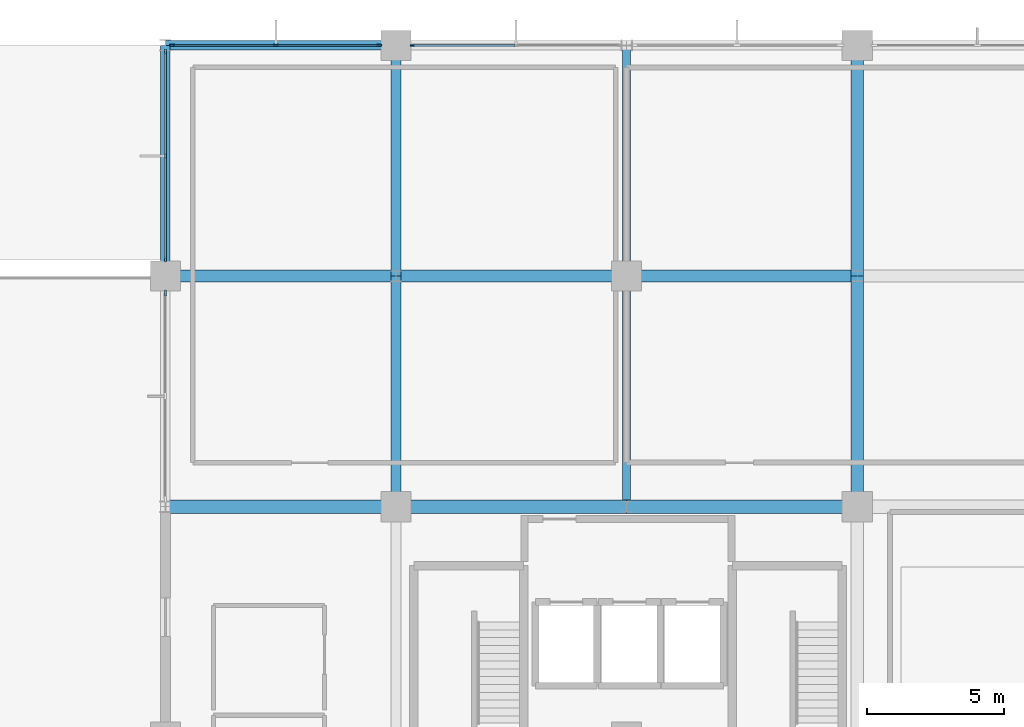
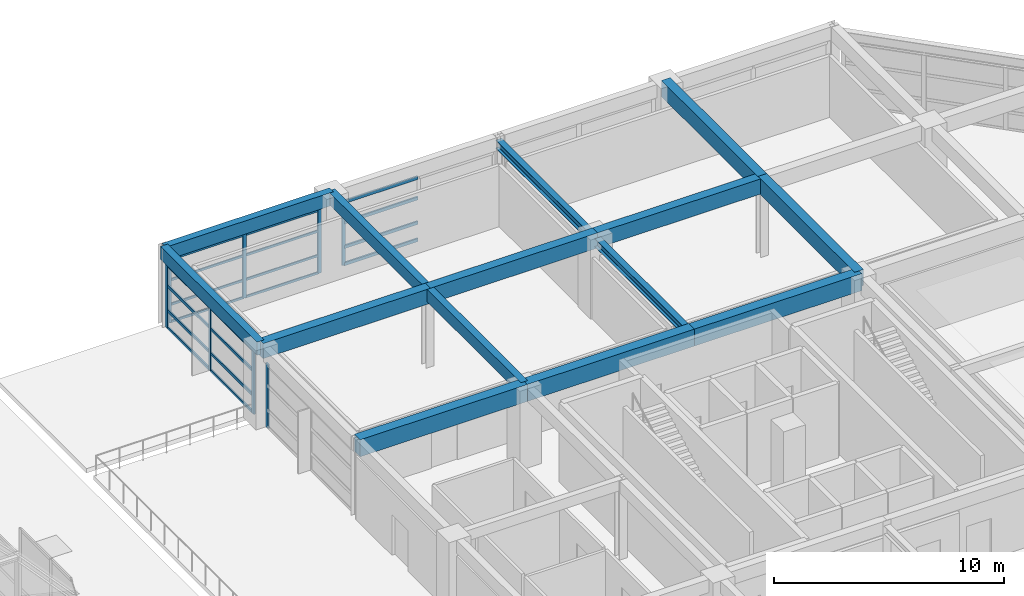
# One storey, part 24 of 34: 28 members, 14 beams, 4 elements without a shape of their own.
"""IFC4 building model written with IfcOpenShell, lengths in metres."""

from ifc_helpers import new_model, si_unit, direction, frame, origin, origin_2d, place, context, subcontext, project, spatial, rectangle, i_section, extrude, material, material_profile, profile_set, type_object, element, aggregate, save


model = new_model("IFC4")

# Units and contexts
model_context = context("Model", 3, precision=1e-05, world=origin(), true_north=direction((0.0, 1.0)))
body_context = subcontext(model_context, "Body", "Model", "MODEL_VIEW")
ifc_project = project(units=[si_unit("LENGTHUNIT", "METRE"), si_unit("AREAUNIT", "SQUARE_METRE"), si_unit("VOLUMEUNIT", "CUBIC_METRE"), si_unit("PLANEANGLEUNIT", "RADIAN"), si_unit("MASSUNIT", "GRAM", prefix="KILO")], contexts=[model_context])

# Site, building, storey
site_placement = place(None, origin())
site = spatial("IfcSite", under=ifc_project, at=site_placement, CompositionType="ELEMENT")
building_placement = place(site_placement, origin())
building = spatial("IfcBuilding", under=site, at=building_placement, Name="Xuanlan Plaza Opera House", CompositionType="ELEMENT")
storey_placement = place(building_placement, frame((0.0, 0.0, 27.89990234375)))
storey = spatial("IfcBuildingStorey", under=building, at=storey_placement, Name="L06", CompositionType="ELEMENT", Elevation=27.89990234375)

# Curtain wall, member
ifc_material_1 = material(Name="Anodised Aluminium 6063-T6 and Low-E Glass", Category="aluminium")
curtain_wall_type_1 = type_object("IfcCurtainWallType", Name="ENV-CW-CW-01", PredefinedType="USERDEFINED", material=ifc_material_1)
curtain_wall_1_placement = place(storey_placement, origin())
curtain_wall_1 = element("IfcCurtainWall", 1, at=curtain_wall_1_placement, inside=storey, type_object=curtain_wall_type_1, Name="Unitised Curtain Wall L06-013", ObjectType="UNITISED CURTAIN WALL", PredefinedType="USERDEFINED")
ifc_material_2 = material(Name="Anodised Aluminium 6063-T6", Category="aluminium")
ifc_material_profile_1 = material_profile(ifc_material_2, rectangle(XDim=0.06494140625, YDim=0.159912109375, at=origin_2d()), Name="ALU-M 65x160")
ifc_profile_set_1 = profile_set([ifc_material_profile_1], Name="Anodised Aluminium 6063-T6")
member_type_1 = type_object("IfcMemberType", Name="ENV-CWM-01", PredefinedType="MULLION", material=ifc_profile_set_1)
member_1_placement = place(storey_placement, frame((135.00244140625, 84.0, 0.0), z_axis=(0.0, 0.0, 1.0), x_axis=(0.0, -1.0, 0.0)))
member_1 = element("IfcMember", 2, at=member_1_placement, type_object=member_type_1, Name="CW-01 mullion 3", PredefinedType="MULLION", context=body_context, shape_type="SweptSolid", body=[
    extrude(rectangle(XDim=0.06494140625, YDim=0.159912109375, at=origin_2d()), origin(), (0.0, 0.0, 1.0), 3.380126953125),
])

# Curtain wall, members
curtain_wall_type_2 = type_object("IfcCurtainWallType", Name="ENV-CW-CW-02", PredefinedType="USERDEFINED", material=ifc_material_1)
curtain_wall_2_placement = place(storey_placement, origin())
curtain_wall_2 = element("IfcCurtainWall", 3, at=curtain_wall_2_placement, inside=storey, type_object=curtain_wall_type_2, Name="Unitised Curtain Wall L06-014", ObjectType="UNITISED CURTAIN WALL", PredefinedType="USERDEFINED")
ifc_material_profile_2 = material_profile(ifc_material_2, rectangle(XDim=0.070068359375, YDim=0.179931640625, at=origin_2d()), Name="ALU-M 70x180")
ifc_profile_set_2 = profile_set([ifc_material_profile_2], Name="Anodised Aluminium 6063-T6")
member_type_2 = type_object("IfcMemberType", Name="ENV-CWM-02", PredefinedType="MULLION", material=ifc_profile_set_2)
member_2_placement = place(storey_placement, frame((133.794921875, 84.0, 0.0), z_axis=(0.0, 0.0, 1.0), x_axis=(0.0, -1.0, 0.0)))
member_2 = element("IfcMember", 4, at=member_2_placement, type_object=member_type_2, Name="CW-02 mullion 1", PredefinedType="MULLION", context=body_context, shape_type="SweptSolid", body=[
    extrude(rectangle(XDim=0.070068359375, YDim=0.179931640625, at=origin_2d()), origin(), (0.0, 0.0, 1.0), 3.380126953125),
])
member_3_placement = place(storey_placement, frame((130.02490234375, 84.0, 0.0), z_axis=(0.0, 0.0, 1.0), x_axis=(0.0, -1.0, 0.0)))
member_3 = element("IfcMember", 5, at=member_3_placement, type_object=member_type_2, Name="CW-02 mullion 2", PredefinedType="MULLION", context=body_context, shape_type="SweptSolid", body=[
    extrude(rectangle(XDim=0.070068359375, YDim=0.179931640625, at=origin_2d()), origin(), (0.0, 0.0, 1.0), 3.380126953125),
])
member_4_placement = place(storey_placement, frame((126.2548828125, 84.0, 0.0), z_axis=(0.0, 0.0, 1.0), x_axis=(0.0, -1.0, 0.0)))
member_4 = element("IfcMember", 6, at=member_4_placement, type_object=member_type_2, Name="CW-02 mullion 3", PredefinedType="MULLION", context=body_context, shape_type="SweptSolid", body=[
    extrude(rectangle(XDim=0.070068359375, YDim=0.179931640625, at=origin_2d()), origin(), (0.0, 0.0, 1.0), 3.380126953125),
])

curtain_wall_type_3 = type_object("IfcCurtainWallType", Name="ENV-CW-CW-03", PredefinedType="USERDEFINED", material=ifc_material_1)
curtain_wall_3_placement = place(storey_placement, origin())
curtain_wall_3 = element("IfcCurtainWall", 7, at=curtain_wall_3_placement, inside=storey, type_object=curtain_wall_type_3, Name="Unitised Curtain Wall L06-015", ObjectType="UNITISED CURTAIN WALL", PredefinedType="USERDEFINED")
ifc_material_profile_3 = material_profile(ifc_material_2, rectangle(XDim=0.074951171875, YDim=0.199951171875, at=origin_2d()), Name="ALU-M 75x200")
ifc_profile_set_3 = profile_set([ifc_material_profile_3], Name="Anodised Aluminium 6063-T6")
member_type_3 = type_object("IfcMemberType", Name="ENV-CWM-03", PredefinedType="MULLION", material=ifc_profile_set_3)
member_5_placement = place(storey_placement, frame((126.0, 83.742431640625, 0.0), z_axis=(0.0, 0.0, 1.0), x_axis=(1.0, 0.0, 0.0)))
member_5 = element("IfcMember", 8, at=member_5_placement, type_object=member_type_3, Name="CW-03 mullion 1", PredefinedType="MULLION", context=body_context, shape_type="SweptSolid", body=[
    extrude(rectangle(XDim=0.074951171875, YDim=0.199951171875, at=origin_2d()), origin(), (0.0, 0.0, 1.0), 3.380126953125),
])
member_6_placement = place(storey_placement, frame((126.0, 79.97509765625, 0.0), z_axis=(0.0, 0.0, 1.0), x_axis=(1.0, 0.0, 0.0)))
member_6 = element("IfcMember", 9, at=member_6_placement, type_object=member_type_3, Name="CW-03 mullion 2", PredefinedType="MULLION", context=body_context, shape_type="SweptSolid", body=[
    extrude(rectangle(XDim=0.074951171875, YDim=0.199951171875, at=origin_2d()), origin(), (0.0, 0.0, 1.0), 3.380126953125),
])
member_7_placement = place(storey_placement, frame((126.0, 76.20751953125, 0.0), z_axis=(0.0, 0.0, 1.0), x_axis=(1.0, 0.0, 0.0)))
member_7 = element("IfcMember", 10, at=member_7_placement, type_object=member_type_3, Name="CW-03 mullion 3", PredefinedType="MULLION", context=body_context, shape_type="SweptSolid", body=[
    extrude(rectangle(XDim=0.074951171875, YDim=0.199951171875, at=origin_2d()), origin(), (0.0, 0.0, 1.0), 3.380126953125),
])

# Curtain wall, member
curtain_wall_type_4 = type_object("IfcCurtainWallType", Name="ENV-CW-CW-04", PredefinedType="USERDEFINED", material=ifc_material_1)
curtain_wall_4_placement = place(storey_placement, origin())
curtain_wall_4 = element("IfcCurtainWall", 11, at=curtain_wall_4_placement, inside=storey, type_object=curtain_wall_type_4, Name="Unitised Curtain Wall L06-016", ObjectType="UNITISED CURTAIN WALL", PredefinedType="USERDEFINED")
ifc_material_profile_4 = material_profile(ifc_material_2, rectangle(XDim=0.080078125, YDim=0.219970703125, at=origin_2d()), Name="ALU-M 80x220")
ifc_profile_set_4 = profile_set([ifc_material_profile_4], Name="Anodised Aluminium 6063-T6")
member_type_4 = type_object("IfcMemberType", Name="ENV-CWM-04", PredefinedType="MULLION", material=ifc_profile_set_4)
member_8_placement = place(storey_placement, frame((126.0, 74.989990234375, 0.0), z_axis=(0.0, 0.0, 1.0), x_axis=(1.0, 0.0, 0.0)))
member_8 = element("IfcMember", 12, at=member_8_placement, type_object=member_type_4, Name="CW-04 mullion 1", PredefinedType="MULLION", context=body_context, shape_type="SweptSolid", body=[
    extrude(rectangle(XDim=0.080078125, YDim=0.219970703125, at=origin_2d()), origin(), (0.0, 0.0, 1.0), 3.380126953125),
])
aggregate(curtain_wall_4, [member_8])

# Member
ifc_material_profile_5 = material_profile(ifc_material_2, rectangle(XDim=0.06494140625, YDim=0.1201171875, at=origin_2d()), Name="ALU-T 65x120")
ifc_profile_set_5 = profile_set([ifc_material_profile_5], Name="Anodised Aluminium 6063-T6")
member_type_5 = type_object("IfcMemberType", Name="ENV-CWT-01", PredefinedType="USERDEFINED", material=ifc_profile_set_5)
member_9_placement = place(storey_placement, frame((133.760009765625, 84.0, 0.03271484375), z_axis=(-1.0, 0.0, 0.0), x_axis=(0.0, -1.0, 0.0)))
member_9 = element("IfcMember", 13, at=member_9_placement, type_object=member_type_5, Name="CW-02 transom 1.1", ObjectType="TRANSOM", PredefinedType="USERDEFINED", context=body_context, shape_type="SweptSolid", body=[
    extrude(rectangle(XDim=0.06494140625, YDim=0.1201171875, at=origin_2d()), origin(), (0.0, 0.0, 1.0), 3.699951171875),
])

member_10_placement = place(storey_placement, frame((133.760009765625, 84.0, 0.9501953125), z_axis=(-1.0, 0.0, 0.0), x_axis=(0.0, -1.0, 0.0)))
member_10 = element("IfcMember", 14, at=member_10_placement, type_object=member_type_5, Name="CW-02 transom 1.2", ObjectType="TRANSOM", PredefinedType="USERDEFINED", context=body_context, shape_type="SweptSolid", body=[
    extrude(rectangle(XDim=0.06494140625, YDim=0.1201171875, at=origin_2d()), origin(), (0.0, 0.0, 1.0), 3.699951171875),
])

member_11_placement = place(storey_placement, frame((133.760009765625, 84.0, 2.25), z_axis=(-1.0, 0.0, 0.0), x_axis=(0.0, -1.0, 0.0)))
member_11 = element("IfcMember", 15, at=member_11_placement, type_object=member_type_5, Name="CW-02 transom 1.3", ObjectType="TRANSOM", PredefinedType="USERDEFINED", context=body_context, shape_type="SweptSolid", body=[
    extrude(rectangle(XDim=0.06494140625, YDim=0.1201171875, at=origin_2d()), origin(), (0.0, 0.0, 1.0), 3.699951171875),
])

member_12_placement = place(storey_placement, frame((133.760009765625, 84.0, 3.34765625), z_axis=(-1.0, 0.0, 0.0), x_axis=(0.0, -1.0, 0.0)))
member_12 = element("IfcMember", 16, at=member_12_placement, type_object=member_type_5, Name="CW-02 transom 1.4", ObjectType="TRANSOM", PredefinedType="USERDEFINED", context=body_context, shape_type="SweptSolid", body=[
    extrude(rectangle(XDim=0.06494140625, YDim=0.1201171875, at=origin_2d()), origin(), (0.0, 0.0, 1.0), 3.699951171875),
])

member_13_placement = place(storey_placement, frame((129.989990234375, 84.0, 0.03271484375), z_axis=(-1.0, 0.0, 0.0), x_axis=(0.0, -1.0, 0.0)))
member_13 = element("IfcMember", 17, at=member_13_placement, type_object=member_type_5, Name="CW-02 transom 2.1", ObjectType="TRANSOM", PredefinedType="USERDEFINED", context=body_context, shape_type="SweptSolid", body=[
    extrude(rectangle(XDim=0.06494140625, YDim=0.1201171875, at=origin_2d()), origin(), (0.0, 0.0, 1.0), 3.699951171875),
])

member_14_placement = place(storey_placement, frame((129.989990234375, 84.0, 0.9501953125), z_axis=(-1.0, 0.0, 0.0), x_axis=(0.0, -1.0, 0.0)))
member_14 = element("IfcMember", 18, at=member_14_placement, type_object=member_type_5, Name="CW-02 transom 2.2", ObjectType="TRANSOM", PredefinedType="USERDEFINED", context=body_context, shape_type="SweptSolid", body=[
    extrude(rectangle(XDim=0.06494140625, YDim=0.1201171875, at=origin_2d()), origin(), (0.0, 0.0, 1.0), 3.699951171875),
])

member_15_placement = place(storey_placement, frame((129.989990234375, 84.0, 2.25), z_axis=(-1.0, 0.0, 0.0), x_axis=(0.0, -1.0, 0.0)))
member_15 = element("IfcMember", 19, at=member_15_placement, type_object=member_type_5, Name="CW-02 transom 2.3", ObjectType="TRANSOM", PredefinedType="USERDEFINED", context=body_context, shape_type="SweptSolid", body=[
    extrude(rectangle(XDim=0.06494140625, YDim=0.1201171875, at=origin_2d()), origin(), (0.0, 0.0, 1.0), 3.699951171875),
])

member_16_placement = place(storey_placement, frame((129.989990234375, 84.0, 3.34765625), z_axis=(-1.0, 0.0, 0.0), x_axis=(0.0, -1.0, 0.0)))
member_16 = element("IfcMember", 20, at=member_16_placement, type_object=member_type_5, Name="CW-02 transom 2.4", ObjectType="TRANSOM", PredefinedType="USERDEFINED", context=body_context, shape_type="SweptSolid", body=[
    extrude(rectangle(XDim=0.06494140625, YDim=0.1201171875, at=origin_2d()), origin(), (0.0, 0.0, 1.0), 3.699951171875),
])

aggregate(curtain_wall_2, [member_2, member_3, member_4, member_9, member_10, member_11, member_12, member_13, member_14, member_15, member_16])

ifc_material_profile_6 = material_profile(ifc_material_2, rectangle(XDim=0.074951171875, YDim=0.14990234375, at=origin_2d()), Name="ALU-T 75x150")
ifc_profile_set_6 = profile_set([ifc_material_profile_6], Name="Anodised Aluminium 6063-T6")
member_type_6 = type_object("IfcMemberType", Name="ENV-CWT-03", PredefinedType="USERDEFINED", material=ifc_profile_set_6)
member_17_placement = place(storey_placement, frame((126.0, 83.705078125, 0.03759765625), z_axis=(0.0, -1.0, 0.0), x_axis=(1.0, 0.0, 0.0)))
member_17 = element("IfcMember", 21, at=member_17_placement, type_object=member_type_6, Name="CW-03 transom 1.1", ObjectType="TRANSOM", PredefinedType="USERDEFINED", context=body_context, shape_type="SweptSolid", body=[
    extrude(rectangle(XDim=0.074951171875, YDim=0.14990234375, at=origin_2d()), origin(), (0.0, 0.0, 1.0), 3.692626953125),
])

member_18_placement = place(storey_placement, frame((126.0, 83.705078125, 0.9501953125), z_axis=(0.0, -1.0, 0.0), x_axis=(1.0, 0.0, 0.0)))
member_18 = element("IfcMember", 22, at=member_18_placement, type_object=member_type_6, Name="CW-03 transom 1.2", ObjectType="TRANSOM", PredefinedType="USERDEFINED", context=body_context, shape_type="SweptSolid", body=[
    extrude(rectangle(XDim=0.074951171875, YDim=0.14990234375, at=origin_2d()), origin(), (0.0, 0.0, 1.0), 3.692626953125),
])

member_19_placement = place(storey_placement, frame((126.0, 83.705078125, 2.25), z_axis=(0.0, -1.0, 0.0), x_axis=(1.0, 0.0, 0.0)))
member_19 = element("IfcMember", 23, at=member_19_placement, type_object=member_type_6, Name="CW-03 transom 1.3", ObjectType="TRANSOM", PredefinedType="USERDEFINED", context=body_context, shape_type="SweptSolid", body=[
    extrude(rectangle(XDim=0.074951171875, YDim=0.14990234375, at=origin_2d()), origin(), (0.0, 0.0, 1.0), 3.692626953125),
])

member_20_placement = place(storey_placement, frame((126.0, 83.705078125, 3.342529296875), z_axis=(0.0, -1.0, 0.0), x_axis=(1.0, 0.0, 0.0)))
member_20 = element("IfcMember", 24, at=member_20_placement, type_object=member_type_6, Name="CW-03 transom 1.4", ObjectType="TRANSOM", PredefinedType="USERDEFINED", context=body_context, shape_type="SweptSolid", body=[
    extrude(rectangle(XDim=0.074951171875, YDim=0.14990234375, at=origin_2d()), origin(), (0.0, 0.0, 1.0), 3.692626953125),
])

member_21_placement = place(storey_placement, frame((126.0, 79.9375, 0.03759765625), z_axis=(0.0, -1.0, 0.0), x_axis=(1.0, 0.0, 0.0)))
member_21 = element("IfcMember", 25, at=member_21_placement, type_object=member_type_6, Name="CW-03 transom 2.1", ObjectType="TRANSOM", PredefinedType="USERDEFINED", context=body_context, shape_type="SweptSolid", body=[
    extrude(rectangle(XDim=0.074951171875, YDim=0.14990234375, at=origin_2d()), origin(), (0.0, 0.0, 1.0), 3.6923828125),
])

member_22_placement = place(storey_placement, frame((126.0, 79.9375, 0.9501953125), z_axis=(0.0, -1.0, 0.0), x_axis=(1.0, 0.0, 0.0)))
member_22 = element("IfcMember", 26, at=member_22_placement, type_object=member_type_6, Name="CW-03 transom 2.2", ObjectType="TRANSOM", PredefinedType="USERDEFINED", context=body_context, shape_type="SweptSolid", body=[
    extrude(rectangle(XDim=0.074951171875, YDim=0.14990234375, at=origin_2d()), origin(), (0.0, 0.0, 1.0), 3.6923828125),
])

member_23_placement = place(storey_placement, frame((126.0, 79.9375, 2.25), z_axis=(0.0, -1.0, 0.0), x_axis=(1.0, 0.0, 0.0)))
member_23 = element("IfcMember", 27, at=member_23_placement, type_object=member_type_6, Name="CW-03 transom 2.3", ObjectType="TRANSOM", PredefinedType="USERDEFINED", context=body_context, shape_type="SweptSolid", body=[
    extrude(rectangle(XDim=0.074951171875, YDim=0.14990234375, at=origin_2d()), origin(), (0.0, 0.0, 1.0), 3.6923828125),
])

member_24_placement = place(storey_placement, frame((126.0, 79.9375, 3.342529296875), z_axis=(0.0, -1.0, 0.0), x_axis=(1.0, 0.0, 0.0)))
member_24 = element("IfcMember", 28, at=member_24_placement, type_object=member_type_6, Name="CW-03 transom 2.4", ObjectType="TRANSOM", PredefinedType="USERDEFINED", context=body_context, shape_type="SweptSolid", body=[
    extrude(rectangle(XDim=0.074951171875, YDim=0.14990234375, at=origin_2d()), origin(), (0.0, 0.0, 1.0), 3.6923828125),
])

aggregate(curtain_wall_3, [member_5, member_6, member_7, member_17, member_18, member_19, member_20, member_21, member_22, member_23, member_24])

ifc_material_profile_7 = material_profile(ifc_material_2, rectangle(XDim=0.080078125, YDim=0.1650390625, at=origin_2d()), Name="ALU-T 80x165")
ifc_profile_set_7 = profile_set([ifc_material_profile_7], Name="Anodised Aluminium 6063-T6")
member_type_7 = type_object("IfcMemberType", Name="ENV-CWT-04", PredefinedType="USERDEFINED", material=ifc_profile_set_7)
member_25_placement = place(storey_placement, frame((138.742431640625, 84.0, 0.0400390625), z_axis=(-1.0, 0.0, 0.0), x_axis=(0.0, -1.0, 0.0)))
member_25 = element("IfcMember", 29, at=member_25_placement, type_object=member_type_7, Name="CW-01 transom 2.1", ObjectType="TRANSOM", PredefinedType="USERDEFINED", context=body_context, shape_type="SweptSolid", body=[
    extrude(rectangle(XDim=0.080078125, YDim=0.1650390625, at=origin_2d()), origin(), (0.0, 0.0, 1.0), 3.70751953125),
])

member_26_placement = place(storey_placement, frame((138.742431640625, 84.0, 0.9501953125), z_axis=(-1.0, 0.0, 0.0), x_axis=(0.0, -1.0, 0.0)))
member_26 = element("IfcMember", 30, at=member_26_placement, type_object=member_type_7, Name="CW-01 transom 2.2", ObjectType="TRANSOM", PredefinedType="USERDEFINED", context=body_context, shape_type="SweptSolid", body=[
    extrude(rectangle(XDim=0.080078125, YDim=0.1650390625, at=origin_2d()), origin(), (0.0, 0.0, 1.0), 3.70751953125),
])

member_27_placement = place(storey_placement, frame((138.742431640625, 84.0, 2.25), z_axis=(-1.0, 0.0, 0.0), x_axis=(0.0, -1.0, 0.0)))
member_27 = element("IfcMember", 31, at=member_27_placement, type_object=member_type_7, Name="CW-01 transom 2.3", ObjectType="TRANSOM", PredefinedType="USERDEFINED", context=body_context, shape_type="SweptSolid", body=[
    extrude(rectangle(XDim=0.080078125, YDim=0.1650390625, at=origin_2d()), origin(), (0.0, 0.0, 1.0), 3.70751953125),
])

member_28_placement = place(storey_placement, frame((138.742431640625, 84.0, 3.340087890625), z_axis=(-1.0, 0.0, 0.0), x_axis=(0.0, -1.0, 0.0)))
member_28 = element("IfcMember", 32, at=member_28_placement, type_object=member_type_7, Name="CW-01 transom 2.4", ObjectType="TRANSOM", PredefinedType="USERDEFINED", context=body_context, shape_type="SweptSolid", body=[
    extrude(rectangle(XDim=0.080078125, YDim=0.1650390625, at=origin_2d()), origin(), (0.0, 0.0, 1.0), 3.70751953125),
])

aggregate(curtain_wall_1, [member_1, member_25, member_26, member_27, member_28])

# Beams
ifc_material_3 = material(Name="Concrete C40", Category="concrete")
ifc_material_profile_8 = material_profile(ifc_material_3, rectangle(XDim=0.5, YDim=0.89990234375, at=origin_2d()), Name="RC-BM 500x900")
ifc_profile_set_8 = profile_set([ifc_material_profile_8], Name="Concrete C40")
beam_type_1 = type_object("IfcBeamType", Name="STR-BM-B-03", PredefinedType="BEAM", material=ifc_profile_set_8)
beam_1_placement = place(storey_placement, frame((126.0, 67.199951171875, 3.75), z_axis=(1.0, 0.0, 0.0), x_axis=(0.0, 1.0, 0.0)))
element("IfcBeam", 33, at=beam_1_placement, inside=storey, type_object=beam_type_1, Name="Grid Beam X L06 16-17/I", PredefinedType="BEAM", context=body_context, shape_type="SweptSolid", body=[
    extrude(rectangle(XDim=0.5, YDim=0.89990234375, at=origin_2d()), origin(), (0.0, 0.0, 1.0), 8.39990234375),
])
beam_2_placement = place(storey_placement, frame((134.39990234375, 67.199951171875, 3.75), z_axis=(1.0, 0.0, 0.0), x_axis=(0.0, 1.0, 0.0)))
element("IfcBeam", 34, at=beam_2_placement, inside=storey, type_object=beam_type_1, Name="Grid Beam X L06 17-18/I", PredefinedType="BEAM", context=body_context, shape_type="SweptSolid", body=[
    extrude(rectangle(XDim=0.5, YDim=0.89990234375, at=origin_2d()), origin(), (0.0, 0.0, 1.0), 8.400146484375),
])
beam_3_placement = place(storey_placement, frame((142.800048828125, 67.199951171875, 3.75), z_axis=(1.0, 0.0, 0.0), x_axis=(0.0, 1.0, 0.0)))
element("IfcBeam", 35, at=beam_3_placement, inside=storey, type_object=beam_type_1, Name="Grid Beam X L06 18-19/I", PredefinedType="BEAM", context=body_context, shape_type="SweptSolid", body=[
    extrude(rectangle(XDim=0.5, YDim=0.89990234375, at=origin_2d()), origin(), (0.0, 0.0, 1.0), 8.39990234375),
])
ifc_material_profile_9 = material_profile(ifc_material_3, rectangle(XDim=0.449951171875, YDim=0.85009765625, at=origin_2d()), Name="RC-BM 450x850")
ifc_profile_set_9 = profile_set([ifc_material_profile_9], Name="Concrete C40")
beam_type_2 = type_object("IfcBeamType", Name="STR-BM-B-04", PredefinedType="BEAM", material=ifc_profile_set_9)
beam_4_placement = place(storey_placement, frame((151.199951171875, 67.199951171875, 3.775146484375), z_axis=(0.0, 1.0, 0.0), x_axis=(-1.0, 0.0, 0.0)))
element("IfcBeam", 36, at=beam_4_placement, inside=storey, type_object=beam_type_2, Name="Grid Beam Y L06 19/I-J", PredefinedType="BEAM", context=body_context, shape_type="SweptSolid", body=[
    extrude(rectangle(XDim=0.449951171875, YDim=0.85009765625, at=origin_2d()), origin(), (0.0, 0.0, 1.0), 8.400146484375),
])
beam_5_placement = place(storey_placement, frame((151.199951171875, 75.60009765625, 3.775146484375), z_axis=(0.0, 1.0, 0.0), x_axis=(-1.0, 0.0, 0.0)))
element("IfcBeam", 37, at=beam_5_placement, inside=storey, type_object=beam_type_2, Name="Grid Beam Y L06 19/J-K", PredefinedType="BEAM", context=body_context, shape_type="SweptSolid", body=[
    extrude(rectangle(XDim=0.449951171875, YDim=0.85009765625, at=origin_2d()), origin(), (0.0, 0.0, 1.0), 8.39990234375),
])
ifc_material_profile_10 = material_profile(ifc_material_3, rectangle(XDim=0.449951171875, YDim=0.800048828125, at=origin_2d()), Name="RC-BM 450x800")
ifc_profile_set_10 = profile_set([ifc_material_profile_10], Name="Concrete C40")
beam_type_3 = type_object("IfcBeamType", Name="STR-BM-B-05", PredefinedType="BEAM", material=ifc_profile_set_10)
beam_6_placement = place(storey_placement, frame((126.0, 75.60009765625, 3.800048828125), z_axis=(1.0, 0.0, 0.0), x_axis=(0.0, 1.0, 0.0)))
element("IfcBeam", 38, at=beam_6_placement, inside=storey, type_object=beam_type_3, Name="Grid Beam X L06 16-17/J", PredefinedType="BEAM", context=body_context, shape_type="SweptSolid", body=[
    extrude(rectangle(XDim=0.449951171875, YDim=0.800048828125, at=origin_2d()), origin(), (0.0, 0.0, 1.0), 8.39990234375),
])
beam_7_placement = place(storey_placement, frame((134.39990234375, 75.60009765625, 3.800048828125), z_axis=(1.0, 0.0, 0.0), x_axis=(0.0, 1.0, 0.0)))
element("IfcBeam", 39, at=beam_7_placement, inside=storey, type_object=beam_type_3, Name="Grid Beam X L06 17-18/J", PredefinedType="BEAM", context=body_context, shape_type="SweptSolid", body=[
    extrude(rectangle(XDim=0.449951171875, YDim=0.800048828125, at=origin_2d()), origin(), (0.0, 0.0, 1.0), 8.400146484375),
])
beam_8_placement = place(storey_placement, frame((142.800048828125, 75.60009765625, 3.800048828125), z_axis=(1.0, 0.0, 0.0), x_axis=(0.0, 1.0, 0.0)))
element("IfcBeam", 40, at=beam_8_placement, inside=storey, type_object=beam_type_3, Name="Grid Beam X L06 18-19/J", PredefinedType="BEAM", context=body_context, shape_type="SweptSolid", body=[
    extrude(rectangle(XDim=0.449951171875, YDim=0.800048828125, at=origin_2d()), origin(), (0.0, 0.0, 1.0), 8.39990234375),
])
ifc_material_profile_11 = material_profile(ifc_material_3, rectangle(XDim=0.35009765625, YDim=0.64990234375, at=origin_2d()), Name="RC-BM 350x650")
ifc_profile_set_11 = profile_set([ifc_material_profile_11], Name="Concrete C40")
beam_type_4 = type_object("IfcBeamType", Name="STR-BM-B-08", PredefinedType="BEAM", material=ifc_profile_set_11)
beam_9_placement = place(storey_placement, frame((134.39990234375, 67.199951171875, 3.875), z_axis=(0.0, 1.0, 0.0), x_axis=(-1.0, 0.0, 0.0)))
element("IfcBeam", 41, at=beam_9_placement, inside=storey, type_object=beam_type_4, Name="Grid Beam Y L06 17/I-J", PredefinedType="BEAM", context=body_context, shape_type="SweptSolid", body=[
    extrude(rectangle(XDim=0.35009765625, YDim=0.64990234375, at=origin_2d()), origin(), (0.0, 0.0, 1.0), 8.400146484375),
])
beam_10_placement = place(storey_placement, frame((134.39990234375, 75.60009765625, 3.875), z_axis=(0.0, 1.0, 0.0), x_axis=(-1.0, 0.0, 0.0)))
element("IfcBeam", 42, at=beam_10_placement, inside=storey, type_object=beam_type_4, Name="Grid Beam Y L06 17/J-K", PredefinedType="BEAM", context=body_context, shape_type="SweptSolid", body=[
    extrude(rectangle(XDim=0.35009765625, YDim=0.64990234375, at=origin_2d()), origin(), (0.0, 0.0, 1.0), 8.39990234375),
])
ifc_material_4 = material(Name="Steel Q355B", Category="steel")
ifc_material_profile_12 = material_profile(ifc_material_4, i_section(OverallWidth=0.300048828125, OverallDepth=0.43994140625, WebThickness=0.010986328125, FlangeThickness=0.01806640625, FilletRadius=0.02001953125, at=origin_2d()), Name="HM 440x300x11x18")
ifc_profile_set_12 = profile_set([ifc_material_profile_12], Name="Steel Q355B")
beam_type_5 = type_object("IfcBeamType", Name="STR-BM-SB-08", PredefinedType="BEAM", material=ifc_profile_set_12)
beam_11_placement = place(storey_placement, frame((142.800048828125, 67.199951171875, 3.735107421875), z_axis=(0.0, 1.0, 0.0), x_axis=(-1.0, 0.0, 0.0)))
element("IfcBeam", 43, at=beam_11_placement, inside=storey, type_object=beam_type_5, Name="Grid Beam Y L06 18/I-J", PredefinedType="BEAM", context=body_context, shape_type="SweptSolid", body=[
    extrude(i_section(OverallWidth=0.300048828125, OverallDepth=0.43994140625, WebThickness=0.010986328125, FlangeThickness=0.01806640625, FilletRadius=0.02001953125, at=origin_2d()), origin(), (0.0, 0.0, 1.0), 8.400146484375),
])
beam_12_placement = place(storey_placement, frame((142.800048828125, 75.60009765625, 3.735107421875), z_axis=(0.0, 1.0, 0.0), x_axis=(-1.0, 0.0, 0.0)))
element("IfcBeam", 44, at=beam_12_placement, inside=storey, type_object=beam_type_5, Name="Grid Beam Y L06 18/J-K", PredefinedType="BEAM", context=body_context, shape_type="SweptSolid", body=[
    extrude(i_section(OverallWidth=0.300048828125, OverallDepth=0.43994140625, WebThickness=0.010986328125, FlangeThickness=0.01806640625, FilletRadius=0.02001953125, at=origin_2d()), origin(), (0.0, 0.0, 1.0), 8.39990234375),
])
ifc_material_profile_13 = material_profile(ifc_material_3, rectangle(XDim=0.35009765625, YDim=0.699951171875, at=origin_2d()), Name="RC-SPD 350x700")
ifc_profile_set_13 = profile_set([ifc_material_profile_13], Name="Concrete C40")
beam_type_6 = type_object("IfcBeamType", Name="STR-BM-SP-02", PredefinedType="SPANDREL", material=ifc_profile_set_13)
for number, where, z_axis, x_axis, name in (
    (45, (126.0, 84.0, 3.85009765625), (1.0, 0.0, 0.0), (0.0, 1.0, 0.0), "Grid Beam X L06 16-17/K"),
    (46, (126.0, 75.60009765625, 3.85009765625), (0.0, 1.0, 0.0), (-1.0, 0.0, 0.0), "Grid Beam Y L06 16/J-K"),
):
    element("IfcBeam", number, at=place(storey_placement, frame(where, z_axis=z_axis, x_axis=x_axis)), inside=storey, type_object=beam_type_6, Name=name, PredefinedType="SPANDREL", context=body_context, shape_type="SweptSolid", body=[
        extrude(rectangle(XDim=0.35009765625, YDim=0.699951171875, at=origin_2d()), origin(), (0.0, 0.0, 1.0), 8.39990234375),
    ])

save(model, "model.ifc")
